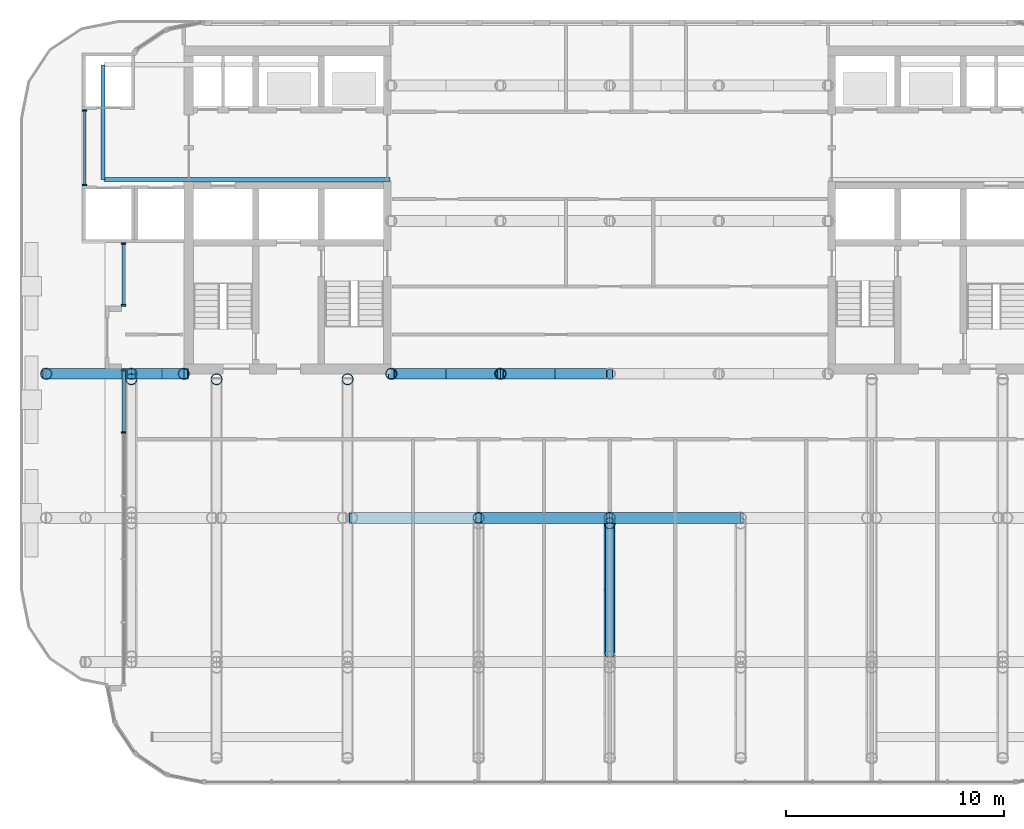
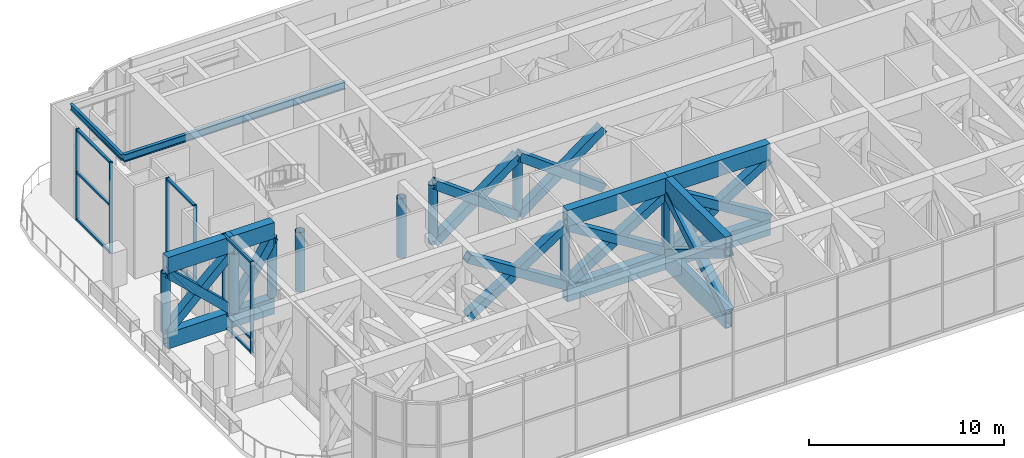
# One storey, part 3 of 21: 42 members, 12 beams, 3 elements without a shape of their own.
"""IFC4 building model written with IfcOpenShell, lengths in metres."""

from ifc_helpers import new_model, si_unit, direction, frame, origin, origin_2d, place, context, subcontext, project, spatial, rectangle, hollow_rectangle, hollow_circle, i_section, extrude, material, layer, layer_set, material_profile, profile_set, type_object, element, aggregate, save


model = new_model("IFC4")

# Units and contexts
model_context = context("Model", 3, precision=1e-05, world=origin(), true_north=direction((0.0, 1.0)))
body_context = subcontext(model_context, "Body", "Model", "MODEL_VIEW")
ifc_project = project(units=[si_unit("LENGTHUNIT", "METRE"), si_unit("AREAUNIT", "SQUARE_METRE"), si_unit("VOLUMEUNIT", "CUBIC_METRE"), si_unit("PLANEANGLEUNIT", "RADIAN"), si_unit("MASSUNIT", "GRAM", prefix="KILO")], contexts=[model_context])

# Site, building, storey
site_placement = place(None, origin())
site = spatial("IfcSite", under=ifc_project, at=site_placement, CompositionType="ELEMENT")
building_placement = place(site_placement, origin())
building = spatial("IfcBuilding", under=site, at=building_placement, Name="Torana Hotel and Residences", CompositionType="ELEMENT")
storey_placement = place(building_placement, frame((0.0, 0.0, 246.60009765625)))
storey = spatial("IfcBuildingStorey", under=building, at=storey_placement, Name="L65", CompositionType="ELEMENT", Elevation=246.60009765625)

# Beams
ifc_material_1 = material(Name="Steel S355", Category="steel")
ifc_material_profile_1 = material_profile(ifc_material_1, i_section(OverallWidth=0.19287109375, OverallDepth=0.46728515625, WebThickness=0.011474609375, FlangeThickness=0.01953125, FilletRadius=0.01025390625, at=origin_2d()), Name="457x191x98 UB")
ifc_profile_set_1 = profile_set([ifc_material_profile_1], Name="Steel S355")
beam_type_1 = type_object("IfcBeamType", Name="BALCONY CANTILEVER BEAM 457x191x98 UB", PredefinedType="BEAM", material=ifc_profile_set_1)
beam_1_placement = place(storey_placement, frame((-23.1484375, -6.10009765625, 5.486328125), z_axis=(1.0, 0.0, 0.0), x_axis=(0.0, 1.0, 0.0)))
element("IfcBeam", 1, at=beam_1_placement, inside=storey, type_object=beam_type_1, Name="Balcony cantilever beam", PredefinedType="BEAM", context=body_context, shape_type="SweptSolid", body=[
    extrude(i_section(OverallWidth=0.19287109375, OverallDepth=0.46728515625, WebThickness=0.011474609375, FlangeThickness=0.01953125, FilletRadius=0.01025390625, at=origin_2d()), origin(), (0.0, 0.0, 1.0), 13.098388671875),
])
ifc_material_2 = material(Name="Steel S355", Category="steel")
ifc_material_profile_2 = material_profile(ifc_material_2, i_section(OverallWidth=0.173095703125, OverallDepth=0.36328125, WebThickness=0.009033203125, FlangeThickness=0.015625, FilletRadius=0.01025390625, at=origin_2d()), Name="356x171x67 UB")
ifc_profile_set_2 = profile_set([ifc_material_profile_2], Name="Steel S355")
beam_type_2 = type_object("IfcBeamType", Name="BALCONY TIP BEAM 356x171x67 UB", PredefinedType="BEAM", material=ifc_profile_set_2)
beam_2_placement = place(storey_placement, frame((-23.205078125, -6.10009765625, 5.5380859375), z_axis=(0.0, 1.0, 0.0), x_axis=(-1.0, 0.0, 0.0)))
element("IfcBeam", 2, at=beam_2_placement, inside=storey, type_object=beam_type_2, Name="Balcony tip beam", PredefinedType="BEAM", context=body_context, shape_type="SweptSolid", body=[
    extrude(i_section(OverallWidth=0.173095703125, OverallDepth=0.36328125, WebThickness=0.009033203125, FlangeThickness=0.015625, FilletRadius=0.01025390625, at=origin_2d()), origin(), (0.0, 0.0, 1.0), 5.25),
])

# Curtain wall, members
ifc_material_3 = material(Name="Dark anodised aluminium", Category="aluminium")
ifc_layer = layer(ifc_material_3, 0.199951171875)
ifc_layer_set = layer_set([ifc_layer], Name="CW2 SKY LOBBY UNITISED CURTAIN WALL")
curtain_wall_type = type_object("IfcCurtainWallType", Name="CW2 SKY LOBBY UNITISED CURTAIN WALL", PredefinedType="NOTDEFINED", material=ifc_layer_set)
curtain_wall_1_placement = place(storey_placement, origin())
curtain_wall_1 = element("IfcCurtainWall", 3, at=curtain_wall_1_placement, inside=storey, type_object=curtain_wall_type, Name="Curtain wall CW2 L65 e0.2", PredefinedType="NOTDEFINED")
ifc_material_4 = material(Name="Dark anodised aluminium", Category="aluminium")
ifc_material_profile_3 = material_profile(ifc_material_4, rectangle(XDim=0.199951171875, YDim=0.070068359375, at=origin_2d()), Name="CW2 MULLION 70x200")
ifc_profile_set_3 = profile_set([ifc_material_profile_3], Name="Dark anodised aluminium")
member_type_1 = type_object("IfcMemberType", Name="CW2 MULLION 70x200", PredefinedType="MULLION", material=ifc_profile_set_3)
member_1_placement = place(storey_placement, frame((-24.050048828125, -2.93505859375, 0.0), z_axis=(0.0, 0.0, 1.0), x_axis=(1.0, 0.0, 0.0)))
member_1 = element("IfcMember", 4, at=member_1_placement, type_object=member_type_1, Name="CW2 mullion 1", PredefinedType="MULLION", context=body_context, shape_type="SweptSolid", body=[
    extrude(rectangle(XDim=0.199951171875, YDim=0.070068359375, at=origin_2d()), origin(), (0.0, 0.0, 1.0), 5.719970703125),
])
member_2_placement = place(storey_placement, frame((-24.050048828125, -6.364990234375, 0.0), z_axis=(0.0, 0.0, 1.0), x_axis=(1.0, 0.0, 0.0)))
member_2 = element("IfcMember", 5, at=member_2_placement, type_object=member_type_1, Name="CW2 mullion 2", PredefinedType="MULLION", context=body_context, shape_type="SweptSolid", body=[
    extrude(rectangle(XDim=0.199951171875, YDim=0.070068359375, at=origin_2d()), origin(), (0.0, 0.0, 1.0), 5.719970703125),
])

curtain_wall_2_placement = place(storey_placement, origin())
curtain_wall_2 = element("IfcCurtainWall", 6, at=curtain_wall_2_placement, inside=storey, type_object=curtain_wall_type, Name="Curtain wall CW2 L65 e0.4-1", PredefinedType="NOTDEFINED")
member_3_placement = place(storey_placement, frame((-22.2548828125, -9.034912109375, 0.0), z_axis=(0.0, 0.0, 1.0), x_axis=(1.0, 0.0, 0.0)))
member_3 = element("IfcMember", 7, at=member_3_placement, type_object=member_type_1, Name="CW2 mullion 1", PredefinedType="MULLION", context=body_context, shape_type="SweptSolid", body=[
    extrude(rectangle(XDim=0.199951171875, YDim=0.070068359375, at=origin_2d()), origin(), (0.0, 0.0, 1.0), 5.719970703125),
])
member_4_placement = place(storey_placement, frame((-22.2548828125, -11.861572265625, 0.0), z_axis=(0.0, 0.0, 1.0), x_axis=(1.0, 0.0, 0.0)))
member_4 = element("IfcMember", 8, at=member_4_placement, type_object=member_type_1, Name="CW2 mullion 2", PredefinedType="MULLION", context=body_context, shape_type="SweptSolid", body=[
    extrude(rectangle(XDim=0.199951171875, YDim=0.070068359375, at=origin_2d()), origin(), (0.0, 0.0, 1.0), 5.719970703125),
])

curtain_wall_3_placement = place(storey_placement, origin())
curtain_wall_3 = element("IfcCurtainWall", 9, at=curtain_wall_3_placement, inside=storey, type_object=curtain_wall_type, Name="Curtain wall CW2 L65 e0.4-2", PredefinedType="NOTDEFINED")
member_5_placement = place(storey_placement, frame((-22.2548828125, -14.827880859375, 0.0), z_axis=(0.0, 0.0, 1.0), x_axis=(1.0, 0.0, 0.0)))
member_5 = element("IfcMember", 10, at=member_5_placement, type_object=member_type_1, Name="CW2 mullion 1", PredefinedType="MULLION", context=body_context, shape_type="SweptSolid", body=[
    extrude(rectangle(XDim=0.199951171875, YDim=0.070068359375, at=origin_2d()), origin(), (0.0, 0.0, 1.0), 5.719970703125),
])
member_6_placement = place(storey_placement, frame((-22.2548828125, -17.689453125, 0.0), z_axis=(0.0, 0.0, 1.0), x_axis=(1.0, 0.0, 0.0)))
member_6 = element("IfcMember", 11, at=member_6_placement, type_object=member_type_1, Name="CW2 mullion 2", PredefinedType="MULLION", context=body_context, shape_type="SweptSolid", body=[
    extrude(rectangle(XDim=0.199951171875, YDim=0.070068359375, at=origin_2d()), origin(), (0.0, 0.0, 1.0), 5.719970703125),
])

# Member
ifc_material_5 = material(Name="Dark anodised aluminium", Category="aluminium")
ifc_material_profile_4 = material_profile(ifc_material_5, rectangle(XDim=0.14990234375, YDim=0.1201171875, at=origin_2d()), Name="CW2 TRANSOM 150x120")
ifc_profile_set_4 = profile_set([ifc_material_profile_4], Name="Dark anodised aluminium")
member_type_2 = type_object("IfcMemberType", Name="CW2 TRANSOM 150x120", PredefinedType="USERDEFINED", material=ifc_profile_set_4)
member_7_placement = place(storey_placement, frame((-24.050048828125, -2.969970703125, 0.059814453125), z_axis=(0.0, -1.0, 0.0), x_axis=(1.0, 0.0, 0.0)))
member_7 = element("IfcMember", 12, at=member_7_placement, type_object=member_type_2, Name="CW2 transom 1.1", ObjectType="TRANSOM", PredefinedType="USERDEFINED", context=body_context, shape_type="SweptSolid", body=[
    extrude(rectangle(XDim=0.14990234375, YDim=0.1201171875, at=origin_2d()), origin(), (0.0, 0.0, 1.0), 3.360107421875),
])

member_8_placement = place(storey_placement, frame((-24.050048828125, -2.969970703125, 3.0), z_axis=(0.0, -1.0, 0.0), x_axis=(1.0, 0.0, 0.0)))
member_8 = element("IfcMember", 13, at=member_8_placement, type_object=member_type_2, Name="CW2 transom 1.2", ObjectType="TRANSOM", PredefinedType="USERDEFINED", context=body_context, shape_type="SweptSolid", body=[
    extrude(rectangle(XDim=0.14990234375, YDim=0.1201171875, at=origin_2d()), origin(), (0.0, 0.0, 1.0), 3.360107421875),
])

member_9_placement = place(storey_placement, frame((-24.050048828125, -2.969970703125, 5.659912109375), z_axis=(0.0, -1.0, 0.0), x_axis=(1.0, 0.0, 0.0)))
member_9 = element("IfcMember", 14, at=member_9_placement, type_object=member_type_2, Name="CW2 transom 1.3", ObjectType="TRANSOM", PredefinedType="USERDEFINED", context=body_context, shape_type="SweptSolid", body=[
    extrude(rectangle(XDim=0.14990234375, YDim=0.1201171875, at=origin_2d()), origin(), (0.0, 0.0, 1.0), 3.360107421875),
])

aggregate(curtain_wall_1, [member_1, member_2, member_7, member_8, member_9])

member_10_placement = place(storey_placement, frame((-22.2548828125, -9.070068359375, 0.059814453125), z_axis=(0.0, -1.0, 0.0), x_axis=(1.0, 0.0, 0.0)))
member_10 = element("IfcMember", 15, at=member_10_placement, type_object=member_type_2, Name="CW2 transom 1.1", ObjectType="TRANSOM", PredefinedType="USERDEFINED", context=body_context, shape_type="SweptSolid", body=[
    extrude(rectangle(XDim=0.14990234375, YDim=0.1201171875, at=origin_2d()), origin(), (0.0, 0.0, 1.0), 2.75634765625),
])

member_11_placement = place(storey_placement, frame((-22.2548828125, -9.070068359375, 0.89990234375), z_axis=(0.0, -1.0, 0.0), x_axis=(1.0, 0.0, 0.0)))
member_11 = element("IfcMember", 16, at=member_11_placement, type_object=member_type_2, Name="CW2 transom 1.2", ObjectType="TRANSOM", PredefinedType="USERDEFINED", context=body_context, shape_type="SweptSolid", body=[
    extrude(rectangle(XDim=0.14990234375, YDim=0.1201171875, at=origin_2d()), origin(), (0.0, 0.0, 1.0), 2.75634765625),
])

member_12_placement = place(storey_placement, frame((-22.2548828125, -9.070068359375, 5.659912109375), z_axis=(0.0, -1.0, 0.0), x_axis=(1.0, 0.0, 0.0)))
member_12 = element("IfcMember", 17, at=member_12_placement, type_object=member_type_2, Name="CW2 transom 1.3", ObjectType="TRANSOM", PredefinedType="USERDEFINED", context=body_context, shape_type="SweptSolid", body=[
    extrude(rectangle(XDim=0.14990234375, YDim=0.1201171875, at=origin_2d()), origin(), (0.0, 0.0, 1.0), 2.75634765625),
])

aggregate(curtain_wall_2, [member_3, member_4, member_10, member_11, member_12])

member_13_placement = place(storey_placement, frame((-22.2548828125, -14.863037109375, 0.059814453125), z_axis=(0.0, -1.0, 0.0), x_axis=(1.0, 0.0, 0.0)))
member_13 = element("IfcMember", 18, at=member_13_placement, type_object=member_type_2, Name="CW2 transom 1.1", ObjectType="TRANSOM", PredefinedType="USERDEFINED", context=body_context, shape_type="SweptSolid", body=[
    extrude(rectangle(XDim=0.14990234375, YDim=0.1201171875, at=origin_2d()), origin(), (0.0, 0.0, 1.0), 2.79150390625),
])

member_14_placement = place(storey_placement, frame((-22.2548828125, -14.863037109375, 0.89990234375), z_axis=(0.0, -1.0, 0.0), x_axis=(1.0, 0.0, 0.0)))
member_14 = element("IfcMember", 19, at=member_14_placement, type_object=member_type_2, Name="CW2 transom 1.2", ObjectType="TRANSOM", PredefinedType="USERDEFINED", context=body_context, shape_type="SweptSolid", body=[
    extrude(rectangle(XDim=0.14990234375, YDim=0.1201171875, at=origin_2d()), origin(), (0.0, 0.0, 1.0), 2.79150390625),
])

member_15_placement = place(storey_placement, frame((-22.2548828125, -14.863037109375, 5.659912109375), z_axis=(0.0, -1.0, 0.0), x_axis=(1.0, 0.0, 0.0)))
member_15 = element("IfcMember", 20, at=member_15_placement, type_object=member_type_2, Name="CW2 transom 1.3", ObjectType="TRANSOM", PredefinedType="USERDEFINED", context=body_context, shape_type="SweptSolid", body=[
    extrude(rectangle(XDim=0.14990234375, YDim=0.1201171875, at=origin_2d()), origin(), (0.0, 0.0, 1.0), 2.79150390625),
])

aggregate(curtain_wall_3, [member_5, member_6, member_13, member_14, member_15])

# Beams
ifc_material_6 = material(Name="Steel S355", Category="steel")
ifc_material_profile_5 = material_profile(ifc_material_6, hollow_rectangle(XDim=0.5, YDim=1.0, WallThickness=0.050048828125, at=origin_2d()), Name="BOX 1000x500x50")
ifc_profile_set_5 = profile_set([ifc_material_profile_5], Name="Steel S355")
beam_type_3 = type_object("IfcBeamType", Name="STEEL CHORD BOX 1000x500x50", PredefinedType="BEAM", material=ifc_profile_set_5)
for number, where, z_axis, x_axis, name in (
    (21, (-6.0, -21.60009765625, 0.5), (1.0, 0.0, 0.0), (0.0, 1.0, 0.0), "Transfer chord L65"),
    (22, (-6.0, -21.60009765625, 5.219970703125), (1.0, 0.0, 0.0), (0.0, 1.0, 0.0), "Transfer chord L65"),
    (23, (0.0, -21.60009765625, 0.5), (1.0, 0.0, 0.0), (0.0, 1.0, 0.0), "Transfer chord L65"),
    (24, (0.0, -21.60009765625, 5.219970703125), (1.0, 0.0, 0.0), (0.0, 1.0, 0.0), "Transfer chord L65"),
):
    element("IfcBeam", number, at=place(storey_placement, frame(where, z_axis=z_axis, x_axis=x_axis)), inside=storey, type_object=beam_type_3, Name=name, PredefinedType="BEAM", context=body_context, shape_type="SweptSolid", body=[
        extrude(hollow_rectangle(XDim=0.5, YDim=1.0, WallThickness=0.050048828125, at=origin_2d()), origin(), (0.0, 0.0, 1.0), 6.0),
    ])
for number, where, z_axis, x_axis, name in (
    (25, (-25.800048828125, -15.0, 0.5), (1.0, 0.0, 0.0), (0.0, 1.0, 0.0), "Transfer chord L65"),
    (26, (-25.800048828125, -15.0, 5.219970703125), (1.0, 0.0, 0.0), (0.0, 1.0, 0.0), "Transfer chord L65"),
):
    element("IfcBeam", number, at=place(storey_placement, frame(where, z_axis=z_axis, x_axis=x_axis)), inside=storey, type_object=beam_type_3, Name=name, PredefinedType="BEAM", context=body_context, shape_type="SweptSolid", body=[
        extrude(hollow_rectangle(XDim=0.5, YDim=1.0, WallThickness=0.050048828125, at=origin_2d()), origin(), (0.0, 0.0, 1.0), 3.900146484375),
    ])
for number, where, z_axis, x_axis, name in (
    (27, (-21.89990234375, -15.0, 0.5), (1.0, 0.0, 0.0), (0.0, 1.0, 0.0), "Transfer chord L65"),
    (28, (-21.89990234375, -15.0, 5.219970703125), (1.0, 0.0, 0.0), (0.0, 1.0, 0.0), "Transfer chord L65"),
):
    element("IfcBeam", number, at=place(storey_placement, frame(where, z_axis=z_axis, x_axis=x_axis)), inside=storey, type_object=beam_type_3, Name=name, PredefinedType="BEAM", context=body_context, shape_type="SweptSolid", body=[
        extrude(hollow_rectangle(XDim=0.5, YDim=1.0, WallThickness=0.050048828125, at=origin_2d()), origin(), (0.0, 0.0, 1.0), 2.39990234375),
    ])
ifc_material_7 = material(Name="Steel S355", Category="steel")
ifc_material_profile_6 = material_profile(ifc_material_7, hollow_rectangle(XDim=0.39990234375, YDim=1.199951171875, WallThickness=0.0400390625, at=origin_2d()), Name="BOX 1200x400x40")
ifc_profile_set_6 = profile_set([ifc_material_profile_6], Name="Steel S355")
beam_type_4 = type_object("IfcBeamType", Name="STEEL CHORD BOX 1200x400x40", PredefinedType="BEAM", material=ifc_profile_set_6)
for number, where, z_axis, x_axis, name in (
    (29, (0.0, -27.949951171875, 0.599853515625), (0.0, 1.0, 0.0), (-1.0, 0.0, 0.0), "Transfer chord L65"),
    (30, (0.0, -27.949951171875, 5.119873046875), (0.0, 1.0, 0.0), (-1.0, 0.0, 0.0), "Transfer chord L65"),
):
    element("IfcBeam", number, at=place(storey_placement, frame(where, z_axis=z_axis, x_axis=x_axis)), inside=storey, type_object=beam_type_4, Name=name, PredefinedType="BEAM", context=body_context, shape_type="SweptSolid", body=[
        extrude(hollow_rectangle(XDim=0.39990234375, YDim=1.199951171875, WallThickness=0.0400390625, at=origin_2d()), origin(), (0.0, 0.0, 1.0), 6.099853515625),
    ])

# Members
ifc_material_8 = material(Name="Steel S355", Category="steel")
ifc_material_profile_7 = material_profile(ifc_material_8, hollow_rectangle(XDim=0.5, YDim=0.5, WallThickness=0.0400390625, at=origin_2d()), Name="BOX 500x500x40")
ifc_profile_set_7 = profile_set([ifc_material_profile_7], Name="Steel S355")
member_type_3 = type_object("IfcMemberType", Name="STEEL DIAGONAL BOX 500x500x40", PredefinedType="BRACE", material=ifc_profile_set_7)
for number, where, z_axis, x_axis, name in (
    (31, (-10.0, -15.0, 1.0), (0.802306956603, 0.0, 0.596911674695), (0.0, 1.0, 0.0), "Truss diagonal L65"),
    (32, (-5.0, -15.0, 1.0), (-0.802306956603, 0.0, 0.596911674695), (0.0, -1.0, 0.0), "Truss diagonal L65"),
    (33, (-5.0, -15.0, 1.0), (0.802306956603, 0.0, 0.596911674695), (0.0, 1.0, 0.0), "Truss diagonal L65"),
    (34, (0.0, -15.0, 1.0), (-0.802306956603, 0.0, 0.596911674695), (0.0, -1.0, 0.0), "Truss diagonal L65"),
):
    element("IfcMember", number, at=place(storey_placement, frame(where, z_axis=z_axis, x_axis=x_axis)), inside=storey, type_object=member_type_3, Name=name, PredefinedType="BRACE", context=body_context, shape_type="SweptSolid", body=[
        extrude(hollow_rectangle(XDim=0.5, YDim=0.5, WallThickness=0.0400390625, at=origin_2d()), origin(), (0.0, 0.0, 1.0), 6.23193359375),
    ])
for number, where, z_axis, x_axis, name in (
    (35, (-11.800048828125, -21.60009765625, 1.0), (0.841747855443, 0.0, 0.539870862204), (0.0, 1.0, 0.0), "Truss diagonal L65"),
    (36, (-6.0, -21.60009765625, 1.0), (-0.841747855443, 0.0, 0.539870862204), (0.0, -1.0, 0.0), "Truss diagonal L65"),
):
    element("IfcMember", number, at=place(storey_placement, frame(where, z_axis=z_axis, x_axis=x_axis)), inside=storey, type_object=member_type_3, Name=name, PredefinedType="BRACE", context=body_context, shape_type="SweptSolid", body=[
        extrude(hollow_rectangle(XDim=0.5, YDim=0.5, WallThickness=0.0400390625, at=origin_2d()), origin(), (0.0, 0.0, 1.0), 6.890380859375),
    ])
for number, where, z_axis, x_axis, name in (
    (37, (-6.0, -21.60009765625, 1.0), (0.84990455024, 0.0, 0.526936671224), (0.0, 1.0, 0.0), "Truss diagonal L65"),
    (38, (0.0, -21.60009765625, 1.0), (-0.84990455024, 0.0, 0.526936671224), (0.0, -1.0, 0.0), "Truss diagonal L65"),
    (39, (0.0, -21.60009765625, 1.0), (0.84990455024, 0.0, 0.526936671224), (0.0, 1.0, 0.0), "Truss diagonal L65"),
    (40, (6.0, -21.60009765625, 1.0), (-0.84990455024, 0.0, 0.526936671224), (0.0, -1.0, 0.0), "Truss diagonal L65"),
):
    element("IfcMember", number, at=place(storey_placement, frame(where, z_axis=z_axis, x_axis=x_axis)), inside=storey, type_object=member_type_3, Name=name, PredefinedType="BRACE", context=body_context, shape_type="SweptSolid", body=[
        extrude(hollow_rectangle(XDim=0.5, YDim=0.5, WallThickness=0.0400390625, at=origin_2d()), origin(), (0.0, 0.0, 1.0), 7.0595703125),
    ])
for number, where, z_axis, x_axis, name in (
    (41, (-25.800048828125, -15.0, 1.0), (0.723623894182, 0.0, 0.690194508648), (0.0, 1.0, 0.0), "Truss diagonal L65"),
    (42, (-21.89990234375, -15.0, 1.0), (-0.723623894182, 0.0, 0.690194508648), (0.0, -1.0, 0.0), "Truss diagonal L65"),
):
    element("IfcMember", number, at=place(storey_placement, frame(where, z_axis=z_axis, x_axis=x_axis)), inside=storey, type_object=member_type_3, Name=name, PredefinedType="BRACE", context=body_context, shape_type="SweptSolid", body=[
        extrude(hollow_rectangle(XDim=0.5, YDim=0.5, WallThickness=0.0400390625, at=origin_2d()), origin(), (0.0, 0.0, 1.0), 5.3896484375),
    ])
member_16_placement = place(storey_placement, frame((-21.89990234375, -15.0, 1.0), z_axis=(0.542114308278, 0.0, 0.840304752313), x_axis=(0.0, 1.0, 0.0)))
element("IfcMember", 43, at=member_16_placement, inside=storey, type_object=member_type_3, Name="Truss diagonal L65", PredefinedType="BRACE", context=body_context, shape_type="SweptSolid", body=[
    extrude(hollow_rectangle(XDim=0.5, YDim=0.5, WallThickness=0.0400390625, at=origin_2d()), origin(), (0.0, 0.0, 1.0), 4.427001953125),
])
member_17_placement = place(storey_placement, frame((-20.699951171875, -15.0, 2.85986328125), z_axis=(-0.542089186574, 0.0, 0.840320958801), x_axis=(0.0, -1.0, 0.0)))
element("IfcMember", 44, at=member_17_placement, inside=storey, type_object=member_type_3, Name="Truss diagonal L65", PredefinedType="BRACE", context=body_context, shape_type="SweptSolid", body=[
    extrude(hollow_rectangle(XDim=0.5, YDim=0.5, WallThickness=0.0400390625, at=origin_2d()), origin(), (0.0, 0.0, 1.0), 2.213623046875),
])
for number, where, z_axis, x_axis, name in (
    (45, (0.0, -27.949951171875, 1.0), (0.0, 0.853762091888, 0.520663317755), (-1.0, 0.0, 0.0), "Truss diagonal L65"),
    (46, (0.0, -21.85009765625, 1.0), (0.0, -0.853762091888, 0.520663317755), (1.0, 0.0, 0.0), "Truss diagonal L65"),
):
    element("IfcMember", number, at=place(storey_placement, frame(where, z_axis=z_axis, x_axis=x_axis)), inside=storey, type_object=member_type_3, Name=name, PredefinedType="BRACE", context=body_context, shape_type="SweptSolid", body=[
        extrude(hollow_rectangle(XDim=0.5, YDim=0.5, WallThickness=0.0400390625, at=origin_2d()), origin(), (0.0, 0.0, 1.0), 7.144775390625),
    ])
ifc_material_9 = material(Name="Steel S355", Category="steel")
ifc_material_profile_8 = material_profile(ifc_material_9, hollow_circle(Radius=0.25390625, WallThickness=0.01611328125, at=origin_2d()), Name="508x16 CHS")
ifc_profile_set_8 = profile_set([ifc_material_profile_8], Name="Steel S355")
member_type_4 = type_object("IfcMemberType", Name="STEEL POST 508x16 CHS", PredefinedType="POST", material=ifc_profile_set_8)
for number, where, z_axis, x_axis, name in (
    (47, (-6.0, -21.60009765625, 1.0), (0.0, 0.0, 1.0), (1.0, 0.0, 0.0), "Truss post L65"),
    (48, (0.0, -21.60009765625, 1.0), (0.0, 0.0, 1.0), (1.0, 0.0, 0.0), "Truss post L65"),
    (49, (-25.800048828125, -15.0, 1.0), (0.0, 0.0, 1.0), (1.0, 0.0, 0.0), "Truss post L65"),
    (50, (-21.89990234375, -15.0, 1.0), (0.0, 0.0, 1.0), (1.0, 0.0, 0.0), "Truss post L65"),
    (51, (-19.5, -15.0, 1.0), (0.0, 0.0, 1.0), (1.0, 0.0, 0.0), "Truss post L65"),
    (52, (-21.89990234375, -15.25, 1.0), (0.0, 0.0, 1.0), (1.0, 0.0, 0.0), "Truss post L65"),
    (53, (-18.0, -15.25, 1.0), (0.0, 0.0, 1.0), (1.0, 0.0, 0.0), "Truss post L65"),
    (54, (-12.0, -15.25, 1.0), (0.0, 0.0, 1.0), (1.0, 0.0, 0.0), "Truss post L65"),
    (55, (0.0, -21.85009765625, 1.0), (0.0, 0.0, 1.0), (1.0, 0.0, 0.0), "Truss post L65"),
    (56, (-10.0, -15.0, 1.0), (0.0, 0.0, 1.0), (1.0, 0.0, 0.0), "Truss post L65"),
    (57, (-5.0, -15.0, 1.0), (0.0, 0.0, 1.0), (1.0, 0.0, 0.0), "Truss post L65"),
):
    element("IfcMember", number, at=place(storey_placement, frame(where, z_axis=z_axis, x_axis=x_axis)), inside=storey, type_object=member_type_4, Name=name, PredefinedType="POST", context=body_context, shape_type="SweptSolid", body=[
        extrude(hollow_circle(Radius=0.25390625, WallThickness=0.01611328125, at=origin_2d()), origin(), (0.0, 0.0, 1.0), 3.719970703125),
    ])

save(model, "model.ifc")
